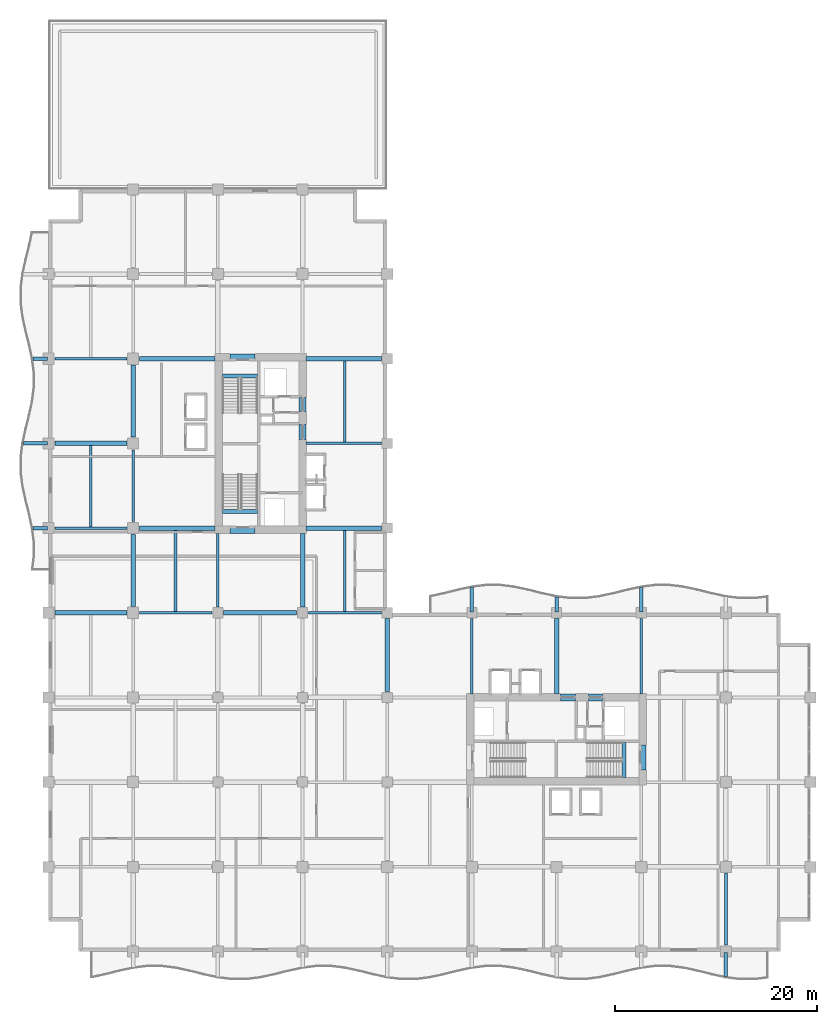
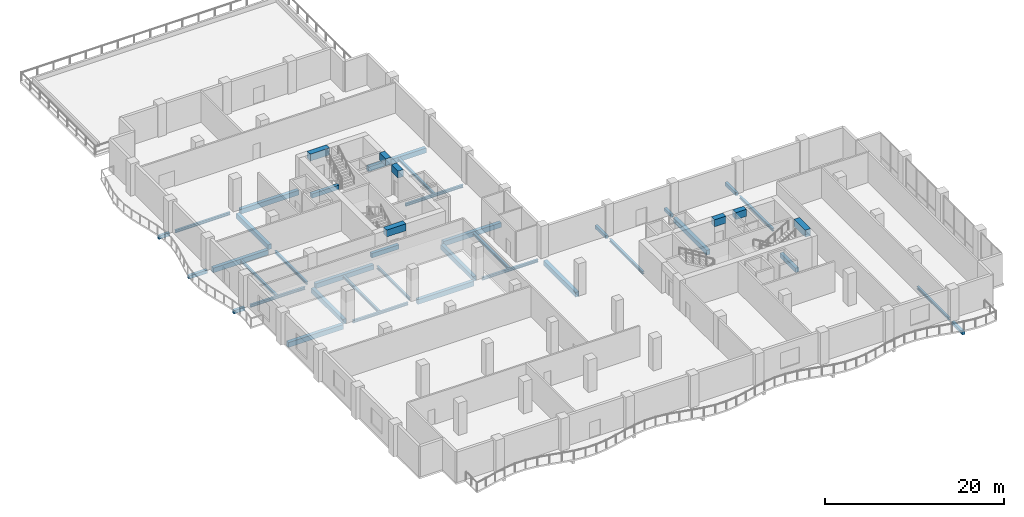
# One storey, part 2 of 22: 43 beams.
"""IFC4 building model written with IfcOpenShell, lengths in metres."""

from ifc_helpers import new_model, si_unit, direction, frame, origin, origin_2d, place, context, subcontext, project, spatial, rectangle, i_section, extrude, material, material_profile, profile_set, type_object, element, save


model = new_model("IFC4")

# Units and contexts
model_context = context("Model", 3, precision=1e-05, world=origin(), true_north=direction((0.0, 1.0)))
body_context = subcontext(model_context, "Body", "Model", "MODEL_VIEW")
ifc_project = project(units=[si_unit("LENGTHUNIT", "METRE"), si_unit("AREAUNIT", "SQUARE_METRE"), si_unit("VOLUMEUNIT", "CUBIC_METRE"), si_unit("PLANEANGLEUNIT", "RADIAN"), si_unit("MASSUNIT", "GRAM", prefix="KILO")], contexts=[model_context])

# Site, building, storey
site_placement = place(None, origin())
site = spatial("IfcSite", under=ifc_project, at=site_placement, CompositionType="ELEMENT")
building_placement = place(site_placement, origin())
building = spatial("IfcBuilding", under=site, at=building_placement, Name="Koriwani Terraces Tower", CompositionType="ELEMENT")
storey_placement = place(building_placement, frame((0.0, 0.0, 153.199951171875)))
storey = spatial("IfcBuildingStorey", under=building, at=storey_placement, Name="L37", CompositionType="ELEMENT", Elevation=153.199951171875)

# Beams
ifc_material_1 = material(Name="Concrete C40/50", Category="concrete")
ifc_material_profile_1 = material_profile(ifc_material_1, rectangle(XDim=0.35009765625, YDim=0.449951171875, at=origin_2d()), Name="Concrete C40/50", Category="LoadBearing")
ifc_profile_set_1 = profile_set([ifc_material_profile_1], Name="Concrete C40/50")
beam_type_1 = type_object("IfcBeamType", Name="BEAM_RC_BALCONY_RIB_350X450", PredefinedType="JOIST", material=ifc_profile_set_1)
beam_1_placement = place(storey_placement, frame((67.199951171875, -2.502197265625, -0.474853515625), z_axis=(0.0, 1.0, 0.0), x_axis=(-1.0, 0.0, 0.0)))
element("IfcBeam", 1, at=beam_1_placement, inside=storey, type_object=beam_type_1, Name="L37 Balcony Bracket Rib S-8", PredefinedType="JOIST", context=body_context, shape_type="SweptSolid", body=[
    extrude(rectangle(XDim=0.35009765625, YDim=0.449951171875, at=origin_2d()), origin(), (0.0, 0.0, 1.0), 2.402099609375),
])
beam_2_placement = place(storey_placement, frame((-1.547607421875, 42.0, -0.474853515625), z_axis=(1.0, 0.0, 0.0), x_axis=(0.0, 1.0, 0.0)))
element("IfcBeam", 2, at=beam_2_placement, inside=storey, type_object=beam_type_1, Name="L37 Balcony Bracket Rib W-1", PredefinedType="JOIST", context=body_context, shape_type="SweptSolid", body=[
    extrude(rectangle(XDim=0.35009765625, YDim=0.449951171875, at=origin_2d()), origin(), (0.0, 0.0, 1.0), 1.447509765625),
])
beam_3_placement = place(storey_placement, frame((-2.502197265625, 50.39990234375, -0.474853515625), z_axis=(1.0, 0.0, 0.0), x_axis=(0.0, 1.0, 0.0)))
element("IfcBeam", 3, at=beam_3_placement, inside=storey, type_object=beam_type_1, Name="L37 Balcony Bracket Rib W-2", PredefinedType="JOIST", context=body_context, shape_type="SweptSolid", body=[
    extrude(rectangle(XDim=0.35009765625, YDim=0.449951171875, at=origin_2d()), origin(), (0.0, 0.0, 1.0), 2.402099609375),
])
beam_4_placement = place(storey_placement, frame((-1.547607421875, 58.800048828125, -0.474853515625), z_axis=(1.0, 0.0, 0.0), x_axis=(0.0, 1.0, 0.0)))
element("IfcBeam", 4, at=beam_4_placement, inside=storey, type_object=beam_type_1, Name="L37 Balcony Bracket Rib W-3", PredefinedType="JOIST", context=body_context, shape_type="SweptSolid", body=[
    extrude(rectangle(XDim=0.35009765625, YDim=0.449951171875, at=origin_2d()), origin(), (0.0, 0.0, 1.0), 1.447509765625),
])
beam_5_placement = place(storey_placement, frame((42.0, 33.699951171875, -0.474853515625), z_axis=(0.0, 1.0, 0.0), x_axis=(-1.0, 0.0, 0.0)))
element("IfcBeam", 5, at=beam_5_placement, inside=storey, type_object=beam_type_1, Name="L37 Balcony Bracket Rib NE-1", PredefinedType="JOIST", context=body_context, shape_type="SweptSolid", body=[
    extrude(rectangle(XDim=0.35009765625, YDim=0.449951171875, at=origin_2d()), origin(), (0.0, 0.0, 1.0), 2.40234375),
])
beam_6_placement = place(storey_placement, frame((50.39990234375, 33.699951171875, -0.474853515625), z_axis=(0.0, 1.0, 0.0), x_axis=(-1.0, 0.0, 0.0)))
element("IfcBeam", 6, at=beam_6_placement, inside=storey, type_object=beam_type_1, Name="L37 Balcony Bracket Rib NE-2", PredefinedType="JOIST", context=body_context, shape_type="SweptSolid", body=[
    extrude(rectangle(XDim=0.35009765625, YDim=0.449951171875, at=origin_2d()), origin(), (0.0, 0.0, 1.0), 1.44775390625),
])
beam_7_placement = place(storey_placement, frame((58.800048828125, 33.699951171875, -0.474853515625), z_axis=(0.0, 1.0, 0.0), x_axis=(-1.0, 0.0, 0.0)))
element("IfcBeam", 7, at=beam_7_placement, inside=storey, type_object=beam_type_1, Name="L37 Balcony Bracket Rib NE-3", PredefinedType="JOIST", context=body_context, shape_type="SweptSolid", body=[
    extrude(rectangle(XDim=0.35009765625, YDim=0.449951171875, at=origin_2d()), origin(), (0.0, 0.0, 1.0), 2.40234375),
])
ifc_material_2 = material(Name="Concrete C60/75", Category="concrete")
ifc_material_profile_2 = material_profile(ifc_material_2, rectangle(XDim=0.699951171875, YDim=0.949951171875, at=origin_2d()), Name="Concrete C60/75", Category="LoadBearing")
ifc_profile_set_2 = profile_set([ifc_material_profile_2], Name="Concrete C60/75")
beam_type_2 = type_object("IfcBeamType", Name="BEAM_RC_COUPLING_700X950", PredefinedType="LINTEL", material=ifc_profile_set_2)
beam_8_placement = place(storey_placement, frame((25.199951171875, 50.800048828125, 3.675048828125), z_axis=(0.0, 1.0, 0.0), x_axis=(-1.0, 0.0, 0.0)))
element("IfcBeam", 8, at=beam_8_placement, inside=storey, type_object=beam_type_2, Name="L37 Core Coupling Lintel Beam WE1", PredefinedType="LINTEL", context=body_context, shape_type="SweptSolid", body=[
    extrude(rectangle(XDim=0.699951171875, YDim=0.949951171875, at=origin_2d()), origin(), (0.0, 0.0, 1.0), 1.47998046875),
])
beam_9_placement = place(storey_placement, frame((25.199951171875, 53.550048828125, 3.675048828125), z_axis=(0.0, 1.0, 0.0), x_axis=(-1.0, 0.0, 0.0)))
element("IfcBeam", 9, at=beam_9_placement, inside=storey, type_object=beam_type_2, Name="L37 Core Coupling Lintel Beam WE2", PredefinedType="LINTEL", context=body_context, shape_type="SweptSolid", body=[
    extrude(rectangle(XDim=0.699951171875, YDim=0.949951171875, at=origin_2d()), origin(), (0.0, 0.0, 1.0), 1.39990234375),
])
for number, where, z_axis, x_axis, name in (
    (10, (18.0, 41.824951171875, 3.675048828125), (1.0, 0.0, 0.0), (0.0, 1.0, 0.0), "L37 Core Coupling Lintel Beam WS"),
    (11, (18.0, 58.925048828125, 3.675048828125), (1.0, 0.0, 0.0), (0.0, 1.0, 0.0), "L37 Core Coupling Lintel Beam WN"),
):
    element("IfcBeam", number, at=place(storey_placement, frame(where, z_axis=z_axis, x_axis=x_axis)), inside=storey, type_object=beam_type_2, Name=name, PredefinedType="LINTEL", context=body_context, shape_type="SweptSolid", body=[
        extrude(rectangle(XDim=0.699951171875, YDim=0.949951171875, at=origin_2d()), origin(), (0.0, 0.0, 1.0), 2.5),
    ])
beam_10_placement = place(storey_placement, frame((50.800048828125, 25.199951171875, 3.675048828125), z_axis=(1.0, 0.0, 0.0), x_axis=(0.0, 1.0, 0.0)))
element("IfcBeam", 12, at=beam_10_placement, inside=storey, type_object=beam_type_2, Name="L37 Core Coupling Lintel Beam EN1", PredefinedType="LINTEL", context=body_context, shape_type="SweptSolid", body=[
    extrude(rectangle(XDim=0.699951171875, YDim=0.949951171875, at=origin_2d()), origin(), (0.0, 0.0, 1.0), 1.47998046875),
])
beam_11_placement = place(storey_placement, frame((53.550048828125, 25.199951171875, 3.675048828125), z_axis=(1.0, 0.0, 0.0), x_axis=(0.0, 1.0, 0.0)))
element("IfcBeam", 13, at=beam_11_placement, inside=storey, type_object=beam_type_2, Name="L37 Core Coupling Lintel Beam EN2", PredefinedType="LINTEL", context=body_context, shape_type="SweptSolid", body=[
    extrude(rectangle(XDim=0.699951171875, YDim=0.949951171875, at=origin_2d()), origin(), (0.0, 0.0, 1.0), 1.39990234375),
])
beam_12_placement = place(storey_placement, frame((58.925048828125, 18.0, 3.675048828125), z_axis=(0.0, 1.0, 0.0), x_axis=(-1.0, 0.0, 0.0)))
element("IfcBeam", 14, at=beam_12_placement, inside=storey, type_object=beam_type_2, Name="L37 Core Coupling Lintel Beam EE", PredefinedType="LINTEL", context=body_context, shape_type="SweptSolid", body=[
    extrude(rectangle(XDim=0.699951171875, YDim=0.949951171875, at=origin_2d()), origin(), (0.0, 0.0, 1.0), 2.5),
])
ifc_material_profile_3 = material_profile(ifc_material_1, rectangle(XDim=0.39990234375, YDim=0.60009765625, at=origin_2d()), Name="Concrete C40/50", Category="LoadBearing")
ifc_profile_set_3 = profile_set([ifc_material_profile_3], Name="Concrete C40/50")
beam_type_3 = type_object("IfcBeamType", Name="BEAM_RC_GRID_400X600", PredefinedType="BEAM", material=ifc_profile_set_3)
for number, where, z_axis, x_axis, name in (
    (15, (17.25, 43.655029296875, -0.300048828125), (1.0, 0.0, 0.0), (0.0, 1.0, 0.0), "L37 Stairwell Header Trimmer Beam ST-W1"),
    (16, (17.25, 57.094970703125, -0.300048828125), (1.0, 0.0, 0.0), (0.0, 1.0, 0.0), "L37 Stairwell Header Trimmer Beam ST-W2"),
    (17, (57.094970703125, 17.25, -0.300048828125), (0.0, 1.0, 0.0), (-1.0, 0.0, 0.0), "L37 Stairwell Header Trimmer Beam ST-E2"),
):
    element("IfcBeam", number, at=place(storey_placement, frame(where, z_axis=z_axis, x_axis=x_axis)), inside=storey, type_object=beam_type_3, Name=name, PredefinedType="BEAM", context=body_context, shape_type="SweptSolid", body=[
        extrude(rectangle(XDim=0.39990234375, YDim=0.60009765625, at=origin_2d()), origin(), (0.0, 0.0, 1.0), 3.5),
    ])
ifc_material_3 = material(Name="Concrete C50/60", Category="concrete")
ifc_material_profile_4 = material_profile(ifc_material_3, rectangle(XDim=0.449951171875, YDim=0.64990234375, at=origin_2d()), Name="Concrete C50/60", Category="LoadBearing")
ifc_profile_set_4 = profile_set([ifc_material_profile_4], Name="Concrete C50/60")
beam_type_4 = type_object("IfcBeamType", Name="BEAM_RC_GRID_450X650", PredefinedType="BEAM", material=ifc_profile_set_4)
beam_13_placement = place(storey_placement, frame((0.6298828125, 33.60009765625, -0.574951171875), z_axis=(1.0, 0.0, 0.0), x_axis=(0.0, 1.0, 0.0)))
element("IfcBeam", 18, at=beam_13_placement, inside=storey, type_object=beam_type_4, Name="L37 Grid Beam E (0.0-8.4m)", PredefinedType="BEAM", context=body_context, shape_type="SweptSolid", body=[
    extrude(rectangle(XDim=0.449951171875, YDim=0.64990234375, at=origin_2d()), origin(), (0.0, 0.0, 1.0), 7.14013671875),
])
beam_14_placement = place(storey_placement, frame((17.3798828125, 33.60009765625, -0.574951171875), z_axis=(1.0, 0.0, 0.0), x_axis=(0.0, 1.0, 0.0)))
element("IfcBeam", 19, at=beam_14_placement, inside=storey, type_object=beam_type_4, Name="L37 Grid Beam E (16.8-25.2m)", PredefinedType="BEAM", context=body_context, shape_type="SweptSolid", body=[
    extrude(rectangle(XDim=0.449951171875, YDim=0.64990234375, at=origin_2d()), origin(), (0.0, 0.0, 1.0), 7.240234375),
])
beam_15_placement = place(storey_placement, frame((9.030029296875, 42.0, -0.574951171875), z_axis=(1.0, 0.0, 0.0), x_axis=(0.0, 1.0, 0.0)))
element("IfcBeam", 20, at=beam_15_placement, inside=storey, type_object=beam_type_4, Name="L37 Grid Beam F (8.4-16.8m)", PredefinedType="BEAM", context=body_context, shape_type="SweptSolid", body=[
    extrude(rectangle(XDim=0.449951171875, YDim=0.64990234375, at=origin_2d()), origin(), (0.0, 0.0, 1.0), 7.489990234375),
])
beam_16_placement = place(storey_placement, frame((25.554931640625, 42.0, -0.574951171875), z_axis=(1.0, 0.0, 0.0), x_axis=(0.0, 1.0, 0.0)))
element("IfcBeam", 21, at=beam_16_placement, inside=storey, type_object=beam_type_4, Name="L37 Grid Beam F (25.2-33.6m)", PredefinedType="BEAM", context=body_context, shape_type="SweptSolid", body=[
    extrude(rectangle(XDim=0.449951171875, YDim=0.64990234375, at=origin_2d()), origin(), (0.0, 0.0, 1.0), 7.465087890625),
])
beam_17_placement = place(storey_placement, frame((0.6298828125, 50.39990234375, -0.574951171875), z_axis=(1.0, 0.0, 0.0), x_axis=(0.0, 1.0, 0.0)))
element("IfcBeam", 22, at=beam_17_placement, inside=storey, type_object=beam_type_4, Name="L37 Grid Beam G (0.0-8.4m)", PredefinedType="BEAM", context=body_context, shape_type="SweptSolid", body=[
    extrude(rectangle(XDim=0.449951171875, YDim=0.64990234375, at=origin_2d()), origin(), (0.0, 0.0, 1.0), 7.14013671875),
])
beam_18_placement = place(storey_placement, frame((9.030029296875, 58.800048828125, -0.574951171875), z_axis=(1.0, 0.0, 0.0), x_axis=(0.0, 1.0, 0.0)))
element("IfcBeam", 23, at=beam_18_placement, inside=storey, type_object=beam_type_4, Name="L37 Grid Beam H (8.4-16.8m)", PredefinedType="BEAM", context=body_context, shape_type="SweptSolid", body=[
    extrude(rectangle(XDim=0.449951171875, YDim=0.64990234375, at=origin_2d()), origin(), (0.0, 0.0, 1.0), 7.489990234375),
])
beam_19_placement = place(storey_placement, frame((25.554931640625, 58.800048828125, -0.574951171875), z_axis=(1.0, 0.0, 0.0), x_axis=(0.0, 1.0, 0.0)))
element("IfcBeam", 24, at=beam_19_placement, inside=storey, type_object=beam_type_4, Name="L37 Grid Beam H (25.2-33.6m)", PredefinedType="BEAM", context=body_context, shape_type="SweptSolid", body=[
    extrude(rectangle(XDim=0.449951171875, YDim=0.64990234375, at=origin_2d()), origin(), (0.0, 0.0, 1.0), 7.465087890625),
])
beam_20_placement = place(storey_placement, frame((8.39990234375, 34.22998046875, -0.574951171875), z_axis=(0.0, 1.0, 0.0), x_axis=(-1.0, 0.0, 0.0)))
element("IfcBeam", 25, at=beam_20_placement, inside=storey, type_object=beam_type_4, Name="L37 Grid Beam 2 (33.6-42.0m)", PredefinedType="BEAM", context=body_context, shape_type="SweptSolid", body=[
    extrude(rectangle(XDim=0.449951171875, YDim=0.64990234375, at=origin_2d()), origin(), (0.0, 0.0, 1.0), 7.14013671875),
])
beam_21_placement = place(storey_placement, frame((8.39990234375, 51.030029296875, -0.574951171875), z_axis=(0.0, 1.0, 0.0), x_axis=(-1.0, 0.0, 0.0)))
element("IfcBeam", 26, at=beam_21_placement, inside=storey, type_object=beam_type_4, Name="L37 Grid Beam 2 (50.4-58.8m)", PredefinedType="BEAM", context=body_context, shape_type="SweptSolid", body=[
    extrude(rectangle(XDim=0.449951171875, YDim=0.64990234375, at=origin_2d()), origin(), (0.0, 0.0, 1.0), 7.139892578125),
])
beam_22_placement = place(storey_placement, frame((25.199951171875, 34.179931640625, -0.574951171875), z_axis=(0.0, 1.0, 0.0), x_axis=(-1.0, 0.0, 0.0)))
element("IfcBeam", 27, at=beam_22_placement, inside=storey, type_object=beam_type_4, Name="L37 Grid Beam 4 (33.6-42.0m)", PredefinedType="BEAM", context=body_context, shape_type="SweptSolid", body=[
    extrude(rectangle(XDim=0.449951171875, YDim=0.64990234375, at=origin_2d()), origin(), (0.0, 0.0, 1.0), 7.2900390625),
])
beam_23_placement = place(storey_placement, frame((33.60009765625, 25.780029296875, -0.574951171875), z_axis=(0.0, 1.0, 0.0), x_axis=(-1.0, 0.0, 0.0)))
element("IfcBeam", 28, at=beam_23_placement, inside=storey, type_object=beam_type_4, Name="L37 Grid Beam 5 (25.2-33.6m)", PredefinedType="BEAM", context=body_context, shape_type="SweptSolid", body=[
    extrude(rectangle(XDim=0.449951171875, YDim=0.64990234375, at=origin_2d()), origin(), (0.0, 0.0, 1.0), 7.239990234375),
])
beam_24_placement = place(storey_placement, frame((50.39990234375, 25.554931640625, -0.574951171875), z_axis=(0.0, 1.0, 0.0), x_axis=(-1.0, 0.0, 0.0)))
element("IfcBeam", 29, at=beam_24_placement, inside=storey, type_object=beam_type_4, Name="L37 Grid Beam 7 (25.2-33.6m)", PredefinedType="BEAM", context=body_context, shape_type="SweptSolid", body=[
    extrude(rectangle(XDim=0.449951171875, YDim=0.64990234375, at=origin_2d()), origin(), (0.0, 0.0, 1.0), 7.465087890625),
])
ifc_material_4 = material(Name="Steel ASTM A572 Grade 50", Category="steel")
ifc_material_profile_5 = material_profile(ifc_material_4, i_section(OverallWidth=0.257080078125, OverallDepth=0.363037109375, WebThickness=0.012939453125, FlangeThickness=0.021728515625, at=origin_2d()), Name="Steel ASTM A572 Grade 50", Category="LoadBearing")
ifc_profile_set_5 = profile_set([ifc_material_profile_5], Name="Steel ASTM A572 Grade 50")
beam_type_5 = type_object("IfcBeamType", Name="STEEL_BEAM_W360X122", PredefinedType="JOIST", material=ifc_profile_set_5)
beam_25_placement = place(storey_placement, frame((9.030029296875, 33.60009765625, -0.431396484375), z_axis=(1.0, 0.0, 0.0), x_axis=(0.0, 1.0, 0.0)))
element("IfcBeam", 30, at=beam_25_placement, inside=storey, type_object=beam_type_5, Name="L37 Grid Beam E (8.4-16.8m)", PredefinedType="JOIST", context=body_context, shape_type="SweptSolid", body=[
    extrude(i_section(OverallWidth=0.257080078125, OverallDepth=0.363037109375, WebThickness=0.012939453125, FlangeThickness=0.021728515625, at=origin_2d()), origin(), (0.0, 0.0, 1.0), 7.18994140625),
])
beam_26_placement = place(storey_placement, frame((25.780029296875, 33.60009765625, -0.431396484375), z_axis=(1.0, 0.0, 0.0), x_axis=(0.0, 1.0, 0.0)))
element("IfcBeam", 31, at=beam_26_placement, inside=storey, type_object=beam_type_5, Name="L37 Grid Beam E (25.2-33.6m)", PredefinedType="JOIST", context=body_context, shape_type="SweptSolid", body=[
    extrude(i_section(OverallWidth=0.257080078125, OverallDepth=0.363037109375, WebThickness=0.012939453125, FlangeThickness=0.021728515625, at=origin_2d()), origin(), (0.0, 0.0, 1.0), 7.239990234375),
])
beam_27_placement = place(storey_placement, frame((0.6298828125, 42.0, -0.431396484375), z_axis=(1.0, 0.0, 0.0), x_axis=(0.0, 1.0, 0.0)))
element("IfcBeam", 32, at=beam_27_placement, inside=storey, type_object=beam_type_5, Name="L37 Grid Beam F (0.0-8.4m)", PredefinedType="JOIST", context=body_context, shape_type="SweptSolid", body=[
    extrude(i_section(OverallWidth=0.257080078125, OverallDepth=0.363037109375, WebThickness=0.012939453125, FlangeThickness=0.021728515625, at=origin_2d()), origin(), (0.0, 0.0, 1.0), 7.14013671875),
])
beam_28_placement = place(storey_placement, frame((25.554931640625, 50.39990234375, -0.431396484375), z_axis=(1.0, 0.0, 0.0), x_axis=(0.0, 1.0, 0.0)))
element("IfcBeam", 33, at=beam_28_placement, inside=storey, type_object=beam_type_5, Name="L37 Grid Beam G (25.2-33.6m)", PredefinedType="JOIST", context=body_context, shape_type="SweptSolid", body=[
    extrude(i_section(OverallWidth=0.257080078125, OverallDepth=0.363037109375, WebThickness=0.012939453125, FlangeThickness=0.021728515625, at=origin_2d()), origin(), (0.0, 0.0, 1.0), 7.465087890625),
])
for number, where, z_axis, x_axis, name in (
    (34, (0.6298828125, 58.800048828125, -0.431396484375), (1.0, 0.0, 0.0), (0.0, 1.0, 0.0), "L37 Grid Beam H (0.0-8.4m)"),
    (35, (8.39990234375, 42.6298828125, -0.431396484375), (0.0, 1.0, 0.0), (-1.0, 0.0, 0.0), "L37 Grid Beam 2 (42.0-50.4m)"),
):
    element("IfcBeam", number, at=place(storey_placement, frame(where, z_axis=z_axis, x_axis=x_axis)), inside=storey, type_object=beam_type_5, Name=name, PredefinedType="JOIST", context=body_context, shape_type="SweptSolid", body=[
        extrude(i_section(OverallWidth=0.257080078125, OverallDepth=0.363037109375, WebThickness=0.012939453125, FlangeThickness=0.021728515625, at=origin_2d()), origin(), (0.0, 0.0, 1.0), 7.14013671875),
    ])
beam_29_placement = place(storey_placement, frame((16.800048828125, 34.179931640625, -0.431396484375), z_axis=(0.0, 1.0, 0.0), x_axis=(-1.0, 0.0, 0.0)))
element("IfcBeam", 36, at=beam_29_placement, inside=storey, type_object=beam_type_5, Name="L37 Grid Beam 3 (33.6-42.0m)", PredefinedType="JOIST", context=body_context, shape_type="SweptSolid", body=[
    extrude(i_section(OverallWidth=0.257080078125, OverallDepth=0.363037109375, WebThickness=0.012939453125, FlangeThickness=0.021728515625, at=origin_2d()), origin(), (0.0, 0.0, 1.0), 7.2900390625),
])
for number, where, z_axis, x_axis, name in (
    (37, (42.0, 25.554931640625, -0.431396484375), (0.0, 1.0, 0.0), (-1.0, 0.0, 0.0), "L37 Grid Beam 6 (25.2-33.6m)"),
    (38, (58.800048828125, 25.554931640625, -0.431396484375), (0.0, 1.0, 0.0), (-1.0, 0.0, 0.0), "L37 Grid Beam 8 (25.2-33.6m)"),
):
    element("IfcBeam", number, at=place(storey_placement, frame(where, z_axis=z_axis, x_axis=x_axis)), inside=storey, type_object=beam_type_5, Name=name, PredefinedType="JOIST", context=body_context, shape_type="SweptSolid", body=[
        extrude(i_section(OverallWidth=0.257080078125, OverallDepth=0.363037109375, WebThickness=0.012939453125, FlangeThickness=0.021728515625, at=origin_2d()), origin(), (0.0, 0.0, 1.0), 7.465087890625),
    ])
beam_30_placement = place(storey_placement, frame((67.199951171875, 0.6298828125, -0.431396484375), z_axis=(0.0, 1.0, 0.0), x_axis=(-1.0, 0.0, 0.0)))
element("IfcBeam", 39, at=beam_30_placement, inside=storey, type_object=beam_type_5, Name="L37 Grid Beam 9 (0.0-8.4m)", PredefinedType="JOIST", context=body_context, shape_type="SweptSolid", body=[
    extrude(i_section(OverallWidth=0.257080078125, OverallDepth=0.363037109375, WebThickness=0.012939453125, FlangeThickness=0.021728515625, at=origin_2d()), origin(), (0.0, 0.0, 1.0), 7.14013671875),
])
beam_31_placement = place(storey_placement, frame((4.199951171875, 42.118408203125, -0.431396484375), z_axis=(0.0, 1.0, 0.0), x_axis=(-1.0, 0.0, 0.0)))
element("IfcBeam", 40, at=beam_31_placement, inside=storey, type_object=beam_type_5, Name="L37 Secondary Steel Floor Joist X=4.2m", PredefinedType="JOIST", context=body_context, shape_type="SweptSolid", body=[
    extrude(i_section(OverallWidth=0.257080078125, OverallDepth=0.363037109375, WebThickness=0.012939453125, FlangeThickness=0.021728515625, at=origin_2d()), origin(), (0.0, 0.0, 1.0), 8.066650390625),
])
for number, where, z_axis, x_axis, name in (
    (41, (12.60009765625, 33.718505859375, -0.431396484375), (0.0, 1.0, 0.0), (-1.0, 0.0, 0.0), "L37 Secondary Steel Floor Joist X=12.6m"),
    (42, (29.39990234375, 33.718505859375, -0.431396484375), (0.0, 1.0, 0.0), (-1.0, 0.0, 0.0), "L37 Secondary Steel Floor Joist X=29.4m"),
    (43, (29.39990234375, 50.5185546875, -0.431396484375), (0.0, 1.0, 0.0), (-1.0, 0.0, 0.0), "L37 Secondary Steel Floor Joist X=29.4m"),
):
    element("IfcBeam", number, at=place(storey_placement, frame(where, z_axis=z_axis, x_axis=x_axis)), inside=storey, type_object=beam_type_5, Name=name, PredefinedType="JOIST", context=body_context, shape_type="SweptSolid", body=[
        extrude(i_section(OverallWidth=0.257080078125, OverallDepth=0.363037109375, WebThickness=0.012939453125, FlangeThickness=0.021728515625, at=origin_2d()), origin(), (0.0, 0.0, 1.0), 8.06640625),
    ])

save(model, "model.ifc")
